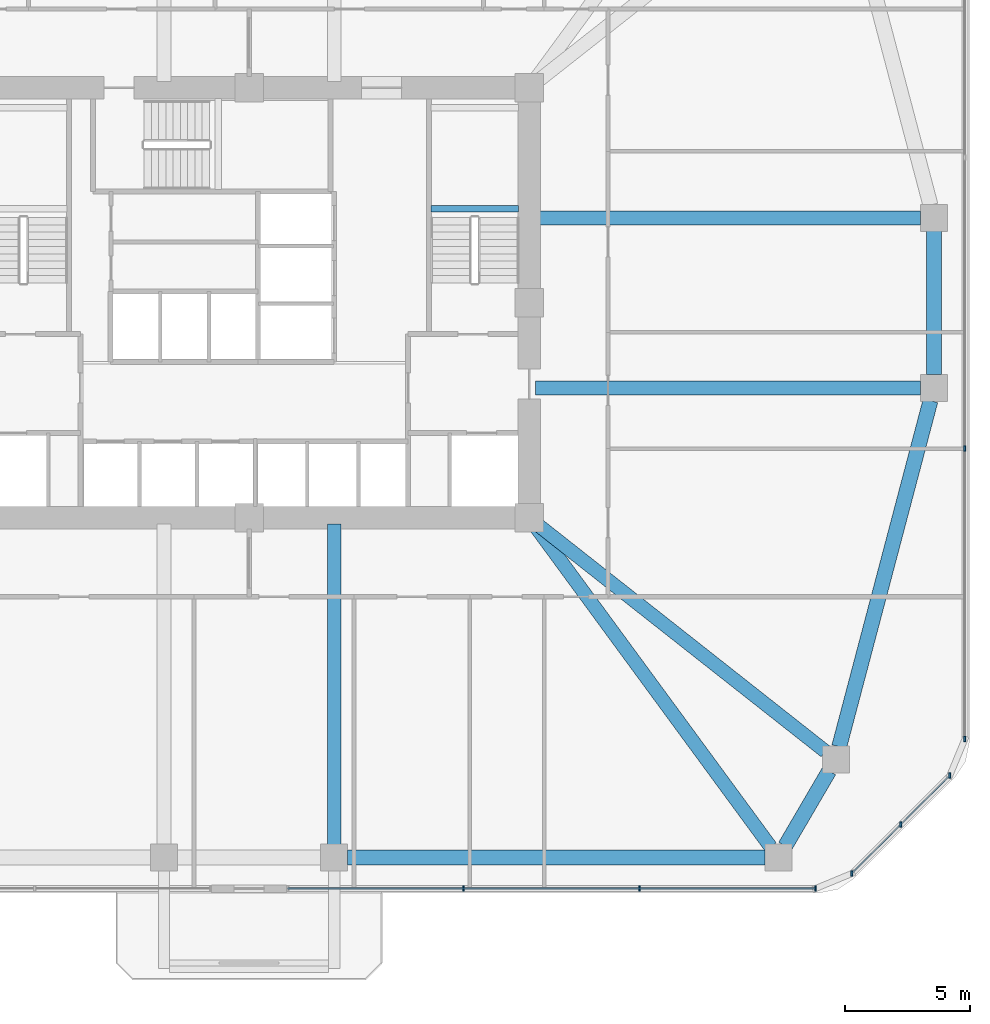
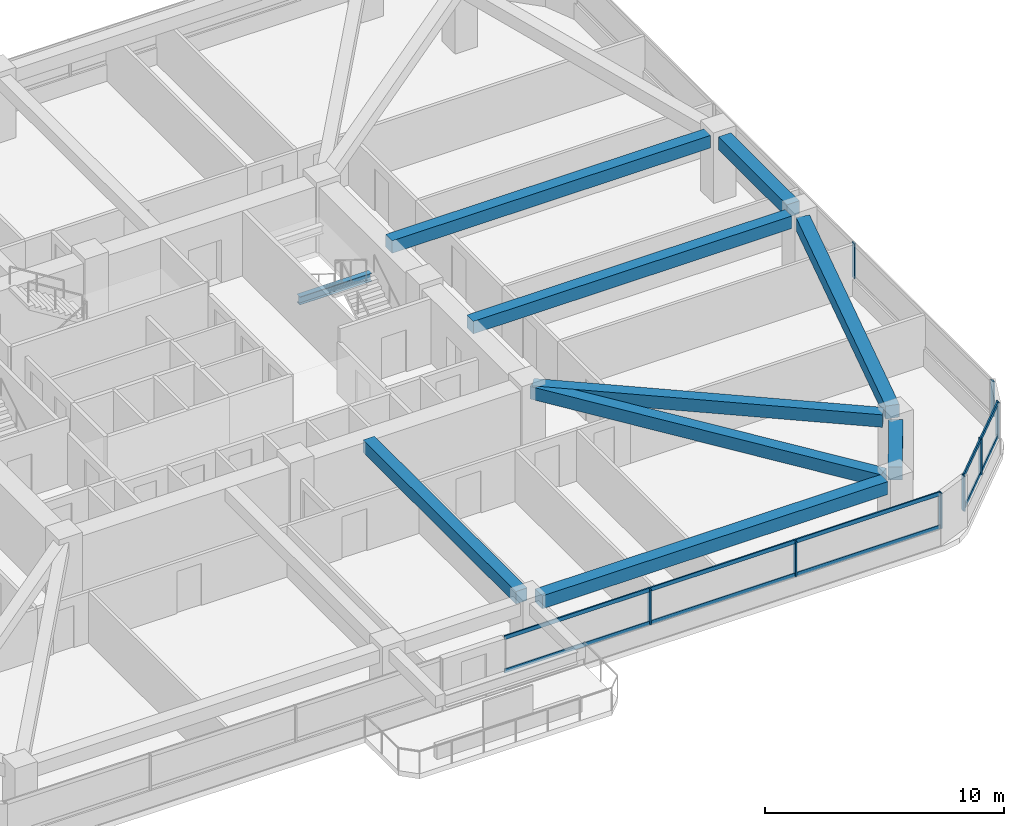
# One storey, part 3 of 14: 12 members, 10 beams, 3 elements without a shape of their own.
"""IFC4 building model written with IfcOpenShell, lengths in metres."""

from ifc_helpers import new_model, si_unit, derived_unit, direction, frame, origin, origin_2d, place, context, subcontext, project, spatial, rectangle, i_section, extrude, material, material_profile, profile_set, type_object, element, aggregate, save


model = new_model("IFC4")

# Units and contexts
model_context = context("Model", 3, precision=1e-05, world=origin(), true_north=direction((0.0, 1.0)))
body_context = subcontext(model_context, "Body", "Model", "MODEL_VIEW")
ifc_project = project(units=[si_unit("LENGTHUNIT", "METRE"), si_unit("AREAUNIT", "SQUARE_METRE"), si_unit("VOLUMEUNIT", "CUBIC_METRE"), si_unit("PLANEANGLEUNIT", "RADIAN"), si_unit("MASSUNIT", "GRAM", prefix="KILO"), derived_unit("THERMALTRANSMITTANCEUNIT", [(si_unit("POWERUNIT", "WATT"), 1), (si_unit("LENGTHUNIT", "METRE"), -2), (si_unit("THERMODYNAMICTEMPERATUREUNIT", "KELVIN"), -1)])], contexts=[model_context])

# Site, building, storey
site_placement = place(None, origin())
site = spatial("IfcSite", under=ifc_project, at=site_placement, CompositionType="ELEMENT")
building_placement = place(site_placement, origin())
building = spatial("IfcBuilding", under=site, at=building_placement, Name="Koralith Skygarden Medical Center", CompositionType="ELEMENT")
storey_placement = place(building_placement, frame((0.0, 0.0, 34.739990234375)))
storey = spatial("IfcBuildingStorey", under=building, at=storey_placement, Name="L08", CompositionType="ELEMENT", Elevation=34.739990234375)

# Curtain wall, members
ifc_material_1 = material(Name="Clear Laminated Glass", Category="glass")
curtain_wall_type = type_object("IfcCurtainWallType", Name="CW-2 Zone 1 Hurricane Unitised Curtain Wall", PredefinedType="NOTDEFINED", material=ifc_material_1)
curtain_wall_1_placement = place(storey_placement, origin())
curtain_wall_1 = element("IfcCurtainWall", 1, at=curtain_wall_1_placement, inside=storey, type_object=curtain_wall_type, Name="Curtain Wall CW-L08-S-R", PredefinedType="NOTDEFINED")
ifc_material_2 = material(Name="Aluminium 6063-T6", Category="aluminium")
ifc_material_profile_1 = material_profile(ifc_material_2, rectangle(XDim=0.071044921875, YDim=0.219970703125, at=origin_2d()), Name="MUL71X220")
ifc_profile_set_1 = profile_set([ifc_material_profile_1], Name="Aluminium 6063-T6")
member_type_1 = type_object("IfcMemberType", Name="CW-2 Extruded Mullion 71x220", PredefinedType="MULLION", material=ifc_profile_set_1)
member_1_placement = place(storey_placement, frame((45.574951171875, 2.47998046875, 0.85009765625), z_axis=(0.0, 0.0, 1.0), x_axis=(1.0, 0.0, 0.0)))
member_1 = element("IfcMember", 2, at=member_1_placement, type_object=member_type_1, Name="CW-L08-S-R Mullion 2", PredefinedType="MULLION", context=body_context, shape_type="SweptSolid", body=[
    extrude(rectangle(XDim=0.071044921875, YDim=0.219970703125, at=origin_2d()), origin(), (0.0, 0.0, 1.0), 1.7998046875),
])
member_2_placement = place(storey_placement, frame((52.610107421875, 2.47998046875, 0.85009765625), z_axis=(0.0, 0.0, 1.0), x_axis=(1.0, 0.0, 0.0)))
member_2 = element("IfcMember", 3, at=member_2_placement, type_object=member_type_1, Name="CW-L08-S-R Mullion 3", PredefinedType="MULLION", context=body_context, shape_type="SweptSolid", body=[
    extrude(rectangle(XDim=0.071044921875, YDim=0.219970703125, at=origin_2d()), origin(), (0.0, 0.0, 1.0), 1.7998046875),
])
member_3_placement = place(storey_placement, frame((59.64501953125, 2.47998046875, 0.85009765625), z_axis=(0.0, 0.0, 1.0), x_axis=(1.0, 0.0, 0.0)))
member_3 = element("IfcMember", 4, at=member_3_placement, type_object=member_type_1, Name="CW-L08-S-R Mullion 4", PredefinedType="MULLION", context=body_context, shape_type="SweptSolid", body=[
    extrude(rectangle(XDim=0.071044921875, YDim=0.219970703125, at=origin_2d()), origin(), (0.0, 0.0, 1.0), 1.7998046875),
])

curtain_wall_2_placement = place(storey_placement, origin())
curtain_wall_2 = element("IfcCurtainWall", 5, at=curtain_wall_2_placement, inside=storey, type_object=curtain_wall_type, Name="Curtain Wall CW-L08-SE", PredefinedType="NOTDEFINED")
member_4_placement = place(storey_placement, frame((61.095947265625, 3.0810546875, 0.85009765625), z_axis=(0.0, 0.0, 1.0), x_axis=(1.0, 0.0, 0.0)))
member_4 = element("IfcMember", 6, at=member_4_placement, type_object=member_type_1, Name="CW-L08-SE Mullion 1", PredefinedType="MULLION", context=body_context, shape_type="SweptSolid", body=[
    extrude(rectangle(XDim=0.071044921875, YDim=0.219970703125, at=origin_2d()), origin(), (0.0, 0.0, 1.0), 1.7998046875),
])
member_5_placement = place(storey_placement, frame((63.056884765625, 5.0419921875, 0.85009765625), z_axis=(0.0, 0.0, 1.0), x_axis=(1.0, 0.0, 0.0)))
member_5 = element("IfcMember", 7, at=member_5_placement, type_object=member_type_1, Name="CW-L08-SE Mullion 2", PredefinedType="MULLION", context=body_context, shape_type="SweptSolid", body=[
    extrude(rectangle(XDim=0.071044921875, YDim=0.219970703125, at=origin_2d()), origin(), (0.0, 0.0, 1.0), 1.7998046875),
])
member_6_placement = place(storey_placement, frame((65.01904296875, 7.00390625, 0.85009765625), z_axis=(0.0, 0.0, 1.0), x_axis=(1.0, 0.0, 0.0)))
member_6 = element("IfcMember", 8, at=member_6_placement, type_object=member_type_1, Name="CW-L08-SE Mullion 3", PredefinedType="MULLION", context=body_context, shape_type="SweptSolid", body=[
    extrude(rectangle(XDim=0.071044921875, YDim=0.219970703125, at=origin_2d()), origin(), (0.0, 0.0, 1.0), 1.7998046875),
])

curtain_wall_3_placement = place(storey_placement, origin())
curtain_wall_3 = element("IfcCurtainWall", 9, at=curtain_wall_3_placement, inside=storey, type_object=curtain_wall_type, Name="Curtain Wall CW-L08-E", PredefinedType="NOTDEFINED")
member_7_placement = place(storey_placement, frame((65.6201171875, 8.455078125, 0.85009765625), z_axis=(0.0, 0.0, 1.0), x_axis=(1.0, 0.0, 0.0)))
member_7 = element("IfcMember", 10, at=member_7_placement, type_object=member_type_1, Name="CW-L08-E Mullion 1", PredefinedType="MULLION", context=body_context, shape_type="SweptSolid", body=[
    extrude(rectangle(XDim=0.071044921875, YDim=0.219970703125, at=origin_2d()), origin(), (0.0, 0.0, 1.0), 1.7998046875),
])
member_8_placement = place(storey_placement, frame((65.6201171875, 20.0849609375, 0.85009765625), z_axis=(0.0, 0.0, 1.0), x_axis=(1.0, 0.0, 0.0)))
member_8 = element("IfcMember", 11, at=member_8_placement, type_object=member_type_1, Name="CW-L08-E Mullion 2", PredefinedType="MULLION", context=body_context, shape_type="SweptSolid", body=[
    extrude(rectangle(XDim=0.071044921875, YDim=0.219970703125, at=origin_2d()), origin(), (0.0, 0.0, 1.0), 1.7998046875),
])
aggregate(curtain_wall_3, [member_7, member_8])

# Member
ifc_material_profile_2 = material_profile(ifc_material_2, rectangle(XDim=0.06591796875, YDim=0.197998046875, at=origin_2d()), Name="TRN66X198")
ifc_profile_set_2 = profile_set([ifc_material_profile_2], Name="Aluminium 6063-T6")
member_type_2 = type_object("IfcMemberType", Name="CW-2 Thermal Transom 66x198", PredefinedType="USERDEFINED", material=ifc_profile_set_2)
member_9_placement = place(storey_placement, frame((38.5400390625, 2.47998046875, 0.89990234375), z_axis=(1.0, 0.0, 0.0), x_axis=(0.0, 1.0, 0.0)))
member_9 = element("IfcMember", 12, at=member_9_placement, type_object=member_type_2, Name="CW-L08-S-R Transom 1", ObjectType="TRANSOM", PredefinedType="USERDEFINED", context=body_context, shape_type="SweptSolid", body=[
    extrude(rectangle(XDim=0.06591796875, YDim=0.197998046875, at=origin_2d()), origin(), (0.0, 0.0, 1.0), 21.10498046875),
])

member_10_placement = place(storey_placement, frame((38.5400390625, 2.47998046875, 2.60009765625), z_axis=(1.0, 0.0, 0.0), x_axis=(0.0, 1.0, 0.0)))
member_10 = element("IfcMember", 13, at=member_10_placement, type_object=member_type_2, Name="CW-L08-S-R Transom 2", ObjectType="TRANSOM", PredefinedType="USERDEFINED", context=body_context, shape_type="SweptSolid", body=[
    extrude(rectangle(XDim=0.06591796875, YDim=0.197998046875, at=origin_2d()), origin(), (0.0, 0.0, 1.0), 21.10498046875),
])

aggregate(curtain_wall_1, [member_1, member_2, member_3, member_9, member_10])

member_11_placement = place(storey_placement, frame((61.095947265625, 3.0810546875, 0.89990234375), z_axis=(0.707128783731, 0.707084777957, 0.0), x_axis=(-0.707084777957, 0.707128783731, 0.0)))
member_11 = element("IfcMember", 14, at=member_11_placement, type_object=member_type_2, Name="CW-L08-SE Transom 1", ObjectType="TRANSOM", PredefinedType="USERDEFINED", context=body_context, shape_type="SweptSolid", body=[
    extrude(rectangle(XDim=0.06591796875, YDim=0.197998046875, at=origin_2d()), origin(), (0.0, 0.0, 1.0), 5.5478515625),
])

member_12_placement = place(storey_placement, frame((61.095947265625, 3.0810546875, 2.60009765625), z_axis=(0.707128783731, 0.707084777957, 0.0), x_axis=(-0.707084777957, 0.707128783731, 0.0)))
member_12 = element("IfcMember", 15, at=member_12_placement, type_object=member_type_2, Name="CW-L08-SE Transom 2", ObjectType="TRANSOM", PredefinedType="USERDEFINED", context=body_context, shape_type="SweptSolid", body=[
    extrude(rectangle(XDim=0.06591796875, YDim=0.197998046875, at=origin_2d()), origin(), (0.0, 0.0, 1.0), 5.5478515625),
])

aggregate(curtain_wall_2, [member_4, member_5, member_6, member_11, member_12])

# Beams
ifc_material_3 = material(Name="Steel ASTM A992 Grade 50", Category="steel")
ifc_material_profile_3 = material_profile(ifc_material_3, i_section(OverallWidth=0.260009765625, OverallDepth=0.4150390625, WebThickness=0.010009765625, FlangeThickness=0.016845703125, at=origin_2d()), Name="W16X67")
ifc_profile_set_3 = profile_set([ifc_material_profile_3], Name="Steel ASTM A992 Grade 50")
beam_type_1 = type_object("IfcBeamType", Name="Clinical Floor Joist W16X67", PredefinedType="JOIST", material=ifc_profile_set_3)
beam_1_placement = place(storey_placement, frame((44.280029296875, 29.659912109375, 1.39208984375), z_axis=(1.0, 0.0, 0.0), x_axis=(0.0, 1.0, 0.0)))
element("IfcBeam", 16, at=beam_1_placement, inside=storey, type_object=beam_type_1, Name="L08 Stair ST2 Half-Landing Support Beam 1A", PredefinedType="JOIST", context=body_context, shape_type="SweptSolid", body=[
    extrude(i_section(OverallWidth=0.260009765625, OverallDepth=0.4150390625, WebThickness=0.010009765625, FlangeThickness=0.016845703125, at=origin_2d()), origin(), (0.0, 0.0, 1.0), 3.489990234375),
])
ifc_material_4 = material(Name="Concrete C45/55", Category="concrete")
ifc_material_profile_4 = material_profile(ifc_material_4, rectangle(XDim=0.550048828125, YDim=0.639892578125, at=origin_2d()), Name="RCB550X640")
ifc_profile_set_4 = profile_set([ifc_material_profile_4], Name="Concrete C45/55")
beam_type_2 = type_object("IfcBeamType", Name="Radial Collector Beam RCB550X640", PredefinedType="BEAM", material=ifc_profile_set_4)
beam_2_placement = place(storey_placement, frame((40.39990234375, 17.050048828125, 3.0), z_axis=(0.0, -1.0, 0.0), x_axis=(1.0, 0.0, 0.0)))
element("IfcBeam", 17, at=beam_2_placement, inside=storey, type_object=beam_type_2, Name="L08 Radial Collector Beam RB-05", PredefinedType="BEAM", context=body_context, shape_type="SweptSolid", body=[
    extrude(rectangle(XDim=0.550048828125, YDim=0.639892578125, at=origin_2d()), origin(), (0.0, 0.0, 1.0), 12.800048828125),
])
beam_3_placement = place(storey_placement, frame((48.347900390625, 17.097900390625, 3.0), z_axis=(0.591718052249, -0.806144991079, 0.0), x_axis=(0.806144991079, 0.591718052249, 0.0)))
element("IfcBeam", 18, at=beam_3_placement, inside=storey, type_object=beam_type_2, Name="L08 Radial Collector Beam RB-06", PredefinedType="BEAM", context=body_context, shape_type="SweptSolid", body=[
    extrude(rectangle(XDim=0.550048828125, YDim=0.639892578125, at=origin_2d()), origin(), (0.0, 0.0, 1.0), 16.065185546875),
])
beam_4_placement = place(storey_placement, frame((48.39599609375, 17.14501953125, 3.0), z_axis=(0.785497250365, -0.618865146594, 0.0), x_axis=(0.618865146594, 0.785497250365, 0.0)))
element("IfcBeam", 19, at=beam_4_placement, inside=storey, type_object=beam_type_2, Name="L08 Radial Collector Beam RB-07", PredefinedType="BEAM", context=body_context, shape_type="SweptSolid", body=[
    extrude(rectangle(XDim=0.550048828125, YDim=0.639892578125, at=origin_2d()), origin(), (0.0, 0.0, 1.0), 14.828857421875),
])
for number, where, z_axis, x_axis, name in (
    (20, (48.449951171875, 22.5, 3.0), (1.0, 0.0, 0.0), (0.0, 1.0, 0.0), "L08 Radial Collector Beam RB-08"),
    (21, (48.449951171875, 29.300048828125, 3.0), (1.0, 0.0, 0.0), (0.0, 1.0, 0.0), "L08 Radial Collector Beam RB-09"),
):
    element("IfcBeam", number, at=place(storey_placement, frame(where, z_axis=z_axis, x_axis=x_axis)), inside=storey, type_object=beam_type_2, Name=name, PredefinedType="BEAM", context=body_context, shape_type="SweptSolid", body=[
        extrude(rectangle(XDim=0.550048828125, YDim=0.639892578125, at=origin_2d()), origin(), (0.0, 0.0, 1.0), 15.400146484375),
    ])
ifc_material_profile_5 = material_profile(ifc_material_4, rectangle(XDim=0.60009765625, YDim=0.659912109375, at=origin_2d()), Name="RCB600X660")
ifc_profile_set_5 = profile_set([ifc_material_profile_5], Name="Concrete C45/55")
beam_type_3 = type_object("IfcBeamType", Name="Zone 1 Spandrel Beam RCB600X660", PredefinedType="SPANDREL", material=ifc_profile_set_5)
beam_5_placement = place(storey_placement, frame((40.929931640625, 3.719970703125, 2.989990234375), z_axis=(1.0, 0.0, 0.0), x_axis=(0.0, 1.0, 0.0)))
element("IfcBeam", 22, at=beam_5_placement, inside=storey, type_object=beam_type_3, Name="L08 Perimeter Spandrel Beam SP-05", PredefinedType="SPANDREL", context=body_context, shape_type="SweptSolid", body=[
    extrude(rectangle(XDim=0.60009765625, YDim=0.659912109375, at=origin_2d()), origin(), (0.0, 0.0, 1.0), 16.7080078125),
])
beam_6_placement = place(storey_placement, frame((58.43603515625, 4.177978515625, 2.989990234375), z_axis=(0.504638660636, 0.863330656349, 0.0), x_axis=(-0.863330656349, 0.504638660636, 0.0)))
element("IfcBeam", 23, at=beam_6_placement, inside=storey, type_object=beam_type_3, Name="L08 Perimeter Spandrel Beam SP-06", PredefinedType="SPANDREL", context=body_context, shape_type="SweptSolid", body=[
    extrude(rectangle(XDim=0.60009765625, YDim=0.659912109375, at=origin_2d()), origin(), (0.0, 0.0, 1.0), 3.4794921875),
])
beam_7_placement = place(storey_placement, frame((60.594970703125, 8.152099609375, 2.989990234375), z_axis=(0.255088684842, 0.966917660851, 0.0), x_axis=(-0.966917660851, 0.255088684842, 0.0)))
element("IfcBeam", 24, at=beam_7_placement, inside=storey, type_object=beam_type_3, Name="L08 Perimeter Spandrel Beam SP-07", PredefinedType="SPANDREL", context=body_context, shape_type="SweptSolid", body=[
    extrude(rectangle(XDim=0.60009765625, YDim=0.659912109375, at=origin_2d()), origin(), (0.0, 0.0, 1.0), 14.309326171875),
])
beam_8_placement = place(storey_placement, frame((64.3798828125, 23.030029296875, 2.989990234375), z_axis=(0.0, 1.0, 0.0), x_axis=(-1.0, 0.0, 0.0)))
element("IfcBeam", 25, at=beam_8_placement, inside=storey, type_object=beam_type_3, Name="L08 Perimeter Spandrel Beam SP-08", PredefinedType="SPANDREL", context=body_context, shape_type="SweptSolid", body=[
    extrude(rectangle(XDim=0.60009765625, YDim=0.659912109375, at=origin_2d()), origin(), (0.0, 0.0, 1.0), 5.739990234375),
])

save(model, "model.ifc")
